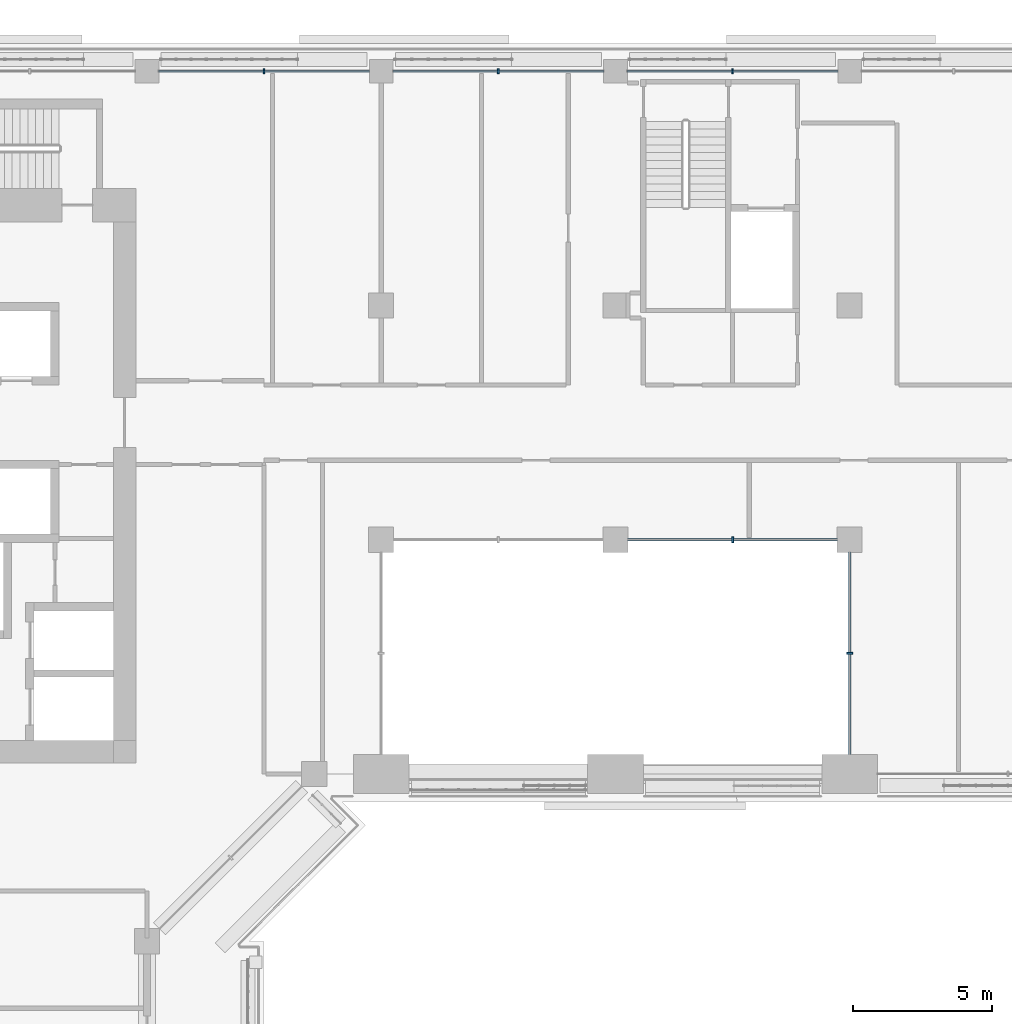
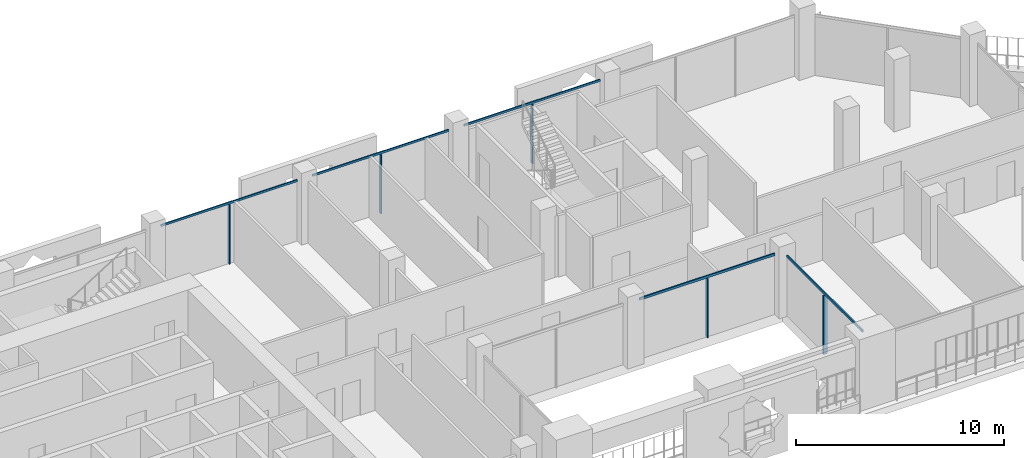
# One storey, part 8 of 23: 10 members, 3 elements without a shape of their own.
"""IFC4 building model written with IfcOpenShell, lengths in metres."""

from ifc_helpers import new_model, si_unit, direction, frame, origin, origin_2d, place, context, subcontext, project, spatial, rectangle, extrude, material, layer, layer_set, material_profile, profile_set, type_object, element, aggregate, save


model = new_model("IFC4")

# Units and contexts
model_context = context("Model", 3, precision=1e-05, world=origin(), true_north=direction((0.0, 1.0)))
body_context = subcontext(model_context, "Body", "Model", "MODEL_VIEW")
ifc_project = project(units=[si_unit("LENGTHUNIT", "METRE"), si_unit("AREAUNIT", "SQUARE_METRE"), si_unit("VOLUMEUNIT", "CUBIC_METRE"), si_unit("PLANEANGLEUNIT", "RADIAN"), si_unit("MASSUNIT", "GRAM", prefix="KILO")], contexts=[model_context])

# Site, building, storey
site_placement = place(None, origin())
site = spatial("IfcSite", under=ifc_project, at=site_placement, CompositionType="ELEMENT")
building_placement = place(site_placement, origin())
building = spatial("IfcBuilding", under=site, at=building_placement, Name="Kawkab Arch Medical Tower", CompositionType="ELEMENT")
storey_placement = place(building_placement, frame((0.0, 0.0, 226.39990234375)))
storey = spatial("IfcBuildingStorey", under=building, at=storey_placement, Name="L52", CompositionType="ELEMENT", Elevation=226.39990234375)

# Curtain wall, members
ifc_material_1 = material(Name="Bronze anodised aluminium curtain wall frame", Category="aluminium")
ifc_layer_1 = layer(ifc_material_1, 0.159912109375)
ifc_layer_set_1 = layer_set([ifc_layer_1], Name="Bronze anodised aluminium curtain wall frame")
curtain_wall_type_1 = type_object("IfcCurtainWallType", Name="CW1 ward curtain wall", PredefinedType="NOTDEFINED", material=ifc_layer_set_1)
placement = place(storey_placement, origin())
curtain_wall_1 = element("IfcCurtainWall", 1, at=placement, inside=storey, type_object=curtain_wall_type_1, Name="CW1 Ward curtain wall R09", PredefinedType="NOTDEFINED")
ifc_material_2 = material(Name="Bronze anodised aluminium curtain wall frame", Category="aluminium")
ifc_material_profile_1 = material_profile(ifc_material_2, rectangle(XDim=0.179931640625, YDim=0.06005859375, at=origin_2d()), Name="AL 60x180")
ifc_profile_set_1 = profile_set([ifc_material_profile_1], Name="Bronze anodised aluminium curtain wall frame")
member_type_1 = type_object("IfcMemberType", Name="CW1 mullion 60 x 180", PredefinedType="MULLION", material=ifc_profile_set_1)
member_1_placement = place(storey_placement, frame((46.199951171875, 0.0, 0.0), z_axis=(0.0, 0.0, 1.0), x_axis=(0.0, -1.0, 0.0)))
member_1 = element("IfcMember", 2, at=member_1_placement, type_object=member_type_1, Name="CW1 mullion 2.1", PredefinedType="MULLION", context=body_context, shape_type="SweptSolid", body=[
    extrude(rectangle(XDim=0.179931640625, YDim=0.06005859375, at=origin_2d()), origin(), (0.0, 0.0, 1.0), 3.47998046875),
])
member_2_placement = place(storey_placement, frame((37.800048828125, 0.0, 0.0), z_axis=(0.0, 0.0, 1.0), x_axis=(0.0, -1.0, 0.0)))
member_2 = element("IfcMember", 3, at=member_2_placement, type_object=member_type_1, Name="CW1 mullion 3.1", PredefinedType="MULLION", context=body_context, shape_type="SweptSolid", body=[
    extrude(rectangle(XDim=0.179931640625, YDim=0.06005859375, at=origin_2d()), origin(), (0.0, 0.0, 1.0), 3.47998046875),
])
member_3_placement = place(storey_placement, frame((29.39990234375, 0.0, 0.0), z_axis=(0.0, 0.0, 1.0), x_axis=(0.0, -1.0, 0.0)))
member_3 = element("IfcMember", 4, at=member_3_placement, type_object=member_type_1, Name="CW1 mullion 4.1", PredefinedType="MULLION", context=body_context, shape_type="SweptSolid", body=[
    extrude(rectangle(XDim=0.179931640625, YDim=0.06005859375, at=origin_2d()), origin(), (0.0, 0.0, 1.0), 3.47998046875),
])
ifc_material_3 = material(Name="Bronze anodised aluminium curtain wall frame", Category="aluminium")
ifc_material_profile_2 = material_profile(ifc_material_3, rectangle(XDim=0.06005859375, YDim=0.1201171875, at=origin_2d()), Name="AL 60x120")
ifc_profile_set_2 = profile_set([ifc_material_profile_2], Name="Bronze anodised aluminium curtain wall frame")
member_type_2 = type_object("IfcMemberType", Name="CW1 transom 120 x 60", PredefinedType="USERDEFINED", material=ifc_profile_set_2)
member_4_placement = place(storey_placement, frame((49.97509765625, 0.0, 3.5400390625), z_axis=(-1.0, 0.0, 0.0), x_axis=(0.0, -1.0, 0.0)))
member_4 = element("IfcMember", 5, at=member_4_placement, type_object=member_type_2, Name="CW1 transom 2", ObjectType="TRANSOM", PredefinedType="USERDEFINED", context=body_context, shape_type="SweptSolid", body=[
    extrude(rectangle(XDim=0.06005859375, YDim=0.1201171875, at=origin_2d()), origin(), (0.0, 0.0, 1.0), 7.550048828125),
])
member_5_placement = place(storey_placement, frame((41.574951171875, 0.0, 3.5400390625), z_axis=(-1.0, 0.0, 0.0), x_axis=(0.0, -1.0, 0.0)))
member_5 = element("IfcMember", 6, at=member_5_placement, type_object=member_type_2, Name="CW1 transom 3", ObjectType="TRANSOM", PredefinedType="USERDEFINED", context=body_context, shape_type="SweptSolid", body=[
    extrude(rectangle(XDim=0.06005859375, YDim=0.1201171875, at=origin_2d()), origin(), (0.0, 0.0, 1.0), 7.550048828125),
])
member_6_placement = place(storey_placement, frame((33.175048828125, 0.0, 3.5400390625), z_axis=(-1.0, 0.0, 0.0), x_axis=(0.0, -1.0, 0.0)))
member_6 = element("IfcMember", 7, at=member_6_placement, type_object=member_type_2, Name="CW1 transom 4", ObjectType="TRANSOM", PredefinedType="USERDEFINED", context=body_context, shape_type="SweptSolid", body=[
    extrude(rectangle(XDim=0.06005859375, YDim=0.1201171875, at=origin_2d()), origin(), (0.0, 0.0, 1.0), 7.550048828125),
])
aggregate(curtain_wall_1, [member_4, member_1, member_5, member_2, member_6, member_3])

# Curtain wall, member
ifc_material_4 = material(Name="Bronze anodised aluminium curtain wall frame", Category="aluminium")
ifc_layer_2 = layer(ifc_material_4, 0.159912109375)
ifc_layer_set_2 = layer_set([ifc_layer_2], Name="Bronze anodised aluminium curtain wall frame")
curtain_wall_type_2 = type_object("IfcCurtainWallType", Name="CW3 sky garden curtain wall", PredefinedType="NOTDEFINED", material=ifc_layer_set_2)
curtain_wall_2 = element("IfcCurtainWall", 8, at=placement, inside=storey, type_object=curtain_wall_type_2, Name="CW3 Sky garden curtain wall R03", PredefinedType="NOTDEFINED")
ifc_material_5 = material(Name="Bronze anodised aluminium curtain wall frame", Category="aluminium")
ifc_material_profile_3 = material_profile(ifc_material_5, rectangle(XDim=0.219970703125, YDim=0.070068359375, at=origin_2d()), Name="AL 70x220")
ifc_profile_set_3 = profile_set([ifc_material_profile_3], Name="Bronze anodised aluminium curtain wall frame")
member_type_3 = type_object("IfcMemberType", Name="CW3 mullion 70 x 220", PredefinedType="MULLION", material=ifc_profile_set_3)
member_7_placement = place(storey_placement, frame((46.199951171875, -16.800048828125, 0.0), z_axis=(0.0, 0.0, 1.0), x_axis=(0.0, 1.0, 0.0)))
member_7 = element("IfcMember", 9, at=member_7_placement, type_object=member_type_3, Name="CW3 mullion 2.1", PredefinedType="MULLION", context=body_context, shape_type="SweptSolid", body=[
    extrude(rectangle(XDim=0.219970703125, YDim=0.070068359375, at=origin_2d()), origin(), (0.0, 0.0, 1.0), 3.460205078125),
])

curtain_wall_3 = element("IfcCurtainWall", 10, at=placement, inside=storey, type_object=curtain_wall_type_2, Name="CW3 Sky garden curtain wall R04", PredefinedType="NOTDEFINED")
member_8_placement = place(storey_placement, frame((50.39990234375, -20.875, 0.0), z_axis=(0.0, 0.0, 1.0), x_axis=(1.0, 0.0, 0.0)))
member_8 = element("IfcMember", 11, at=member_8_placement, type_object=member_type_3, Name="CW3 mullion 1.1", PredefinedType="MULLION", context=body_context, shape_type="SweptSolid", body=[
    extrude(rectangle(XDim=0.219970703125, YDim=0.070068359375, at=origin_2d()), origin(), (0.0, 0.0, 1.0), 3.460205078125),
])

# Member
ifc_material_6 = material(Name="Bronze anodised aluminium curtain wall frame", Category="aluminium")
ifc_material_profile_4 = material_profile(ifc_material_6, rectangle(XDim=0.070068359375, YDim=0.139892578125, at=origin_2d()), Name="AL 70x140")
ifc_profile_set_4 = profile_set([ifc_material_profile_4], Name="Bronze anodised aluminium curtain wall frame")
member_type_4 = type_object("IfcMemberType", Name="CW3 transom 140 x 70", PredefinedType="USERDEFINED", material=ifc_profile_set_4)
member_9_placement = place(storey_placement, frame((42.449951171875, -16.800048828125, 3.530029296875), z_axis=(1.0, 0.0, 0.0), x_axis=(0.0, 1.0, 0.0)))
member_9 = element("IfcMember", 12, at=member_9_placement, type_object=member_type_4, Name="CW3 transom 2", ObjectType="TRANSOM", PredefinedType="USERDEFINED", context=body_context, shape_type="SweptSolid", body=[
    extrude(rectangle(XDim=0.070068359375, YDim=0.139892578125, at=origin_2d()), origin(), (0.0, 0.0, 1.0), 7.5),
])

aggregate(curtain_wall_2, [member_9, member_7])

member_10_placement = place(storey_placement, frame((50.39990234375, -17.25, 3.530029296875), z_axis=(0.0, -1.0, 0.0), x_axis=(1.0, 0.0, 0.0)))
member_10 = element("IfcMember", 13, at=member_10_placement, type_object=member_type_4, Name="CW3 transom 1", ObjectType="TRANSOM", PredefinedType="USERDEFINED", context=body_context, shape_type="SweptSolid", body=[
    extrude(rectangle(XDim=0.070068359375, YDim=0.139892578125, at=origin_2d()), origin(), (0.0, 0.0, 1.0), 7.25),
])

aggregate(curtain_wall_3, [member_10, member_8])

save(model, "model.ifc")
